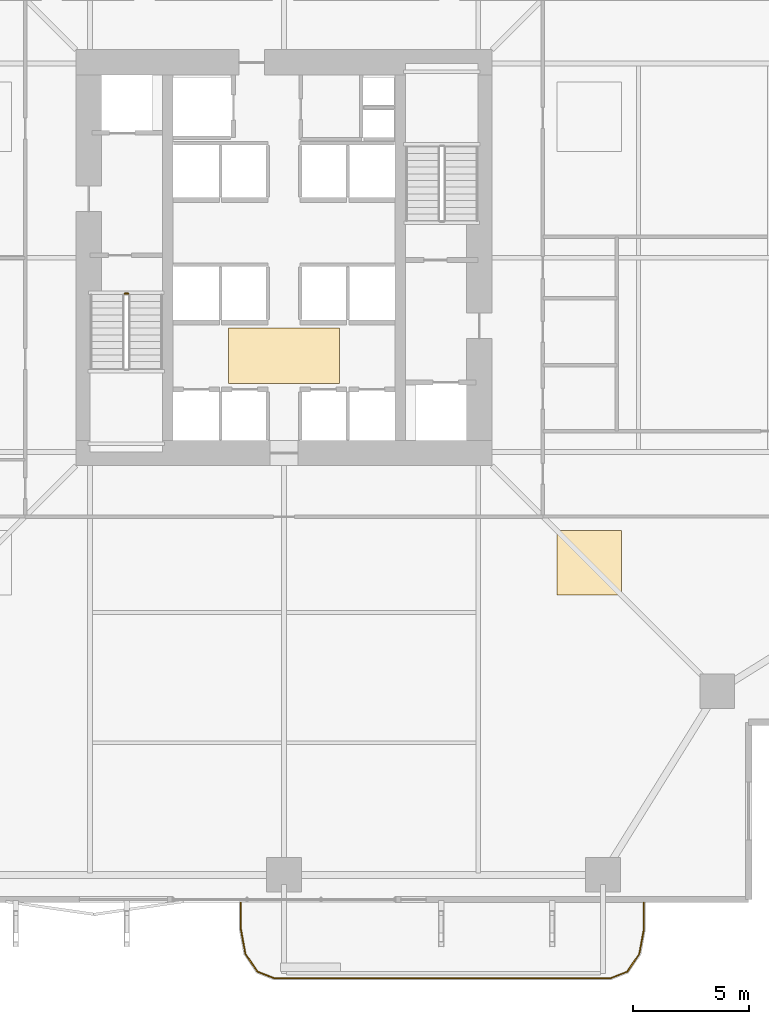
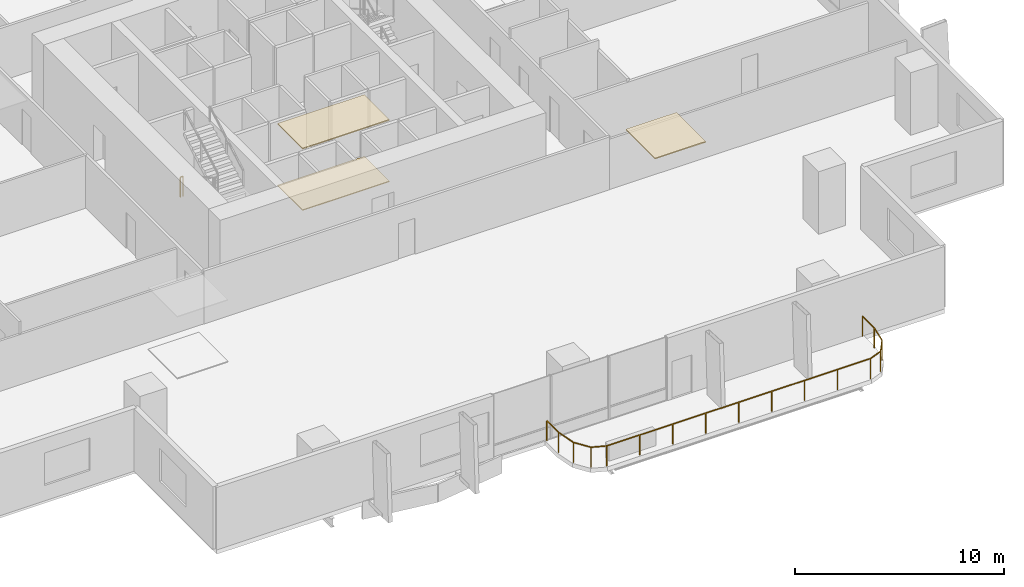
# One storey, part 22 of 24: 3 coverings, 2 railings.
"""IFC4 building model written with IfcOpenShell, lengths in metres."""

from ifc_helpers import new_model, si_unit, direction, frame, origin, origin_2d, place, context, subcontext, project, spatial, polyline, rectangle, outline, extrude, material, layer, layer_set, type_object, element, save


model = new_model("IFC4")

# Units and contexts
model_context = context("Model", 3, precision=1e-05, world=origin(), true_north=direction((0.0, 1.0)))
body_context = subcontext(model_context, "Body", "Model", "MODEL_VIEW")
ifc_project = project(units=[si_unit("LENGTHUNIT", "METRE"), si_unit("AREAUNIT", "SQUARE_METRE"), si_unit("VOLUMEUNIT", "CUBIC_METRE"), si_unit("PLANEANGLEUNIT", "RADIAN"), si_unit("MASSUNIT", "GRAM", prefix="KILO")], contexts=[model_context])

# Site, building, storey
site_placement = place(None, origin())
site = spatial("IfcSite", under=ifc_project, at=site_placement, CompositionType="ELEMENT")
building_placement = place(site_placement, origin())
building = spatial("IfcBuilding", under=site, at=building_placement, Name="Belovzor Exchange Tower", CompositionType="ELEMENT")
storey_placement = place(building_placement, frame((0.0, 0.0, 72.89990234375)))
storey = spatial("IfcBuildingStorey", under=building, at=storey_placement, Name="L17", CompositionType="ELEMENT", Elevation=72.89990234375)

# Railings
ifc_material_1 = material(Name="Stainless Steel and Laminated Safety Glass", Category="steel")
railing_type_1 = type_object("IfcRailingType", Name="Laminated Glass & Stainless Steel Balcony Balustrade 1200", PredefinedType="BALUSTRADE", material=ifc_material_1)
railing_1_placement = place(storey_placement, frame((26.929931640625, 0.889892578125, 0.0)))
element("IfcRailing", 1, at=railing_1_placement, inside=storey, type_object=railing_type_1, Name="GR-1 Balcony Balustrade L17 South", PredefinedType="BALUSTRADE", context=body_context, shape_type="SweptSolid", body=[
    extrude(rectangle(XDim=0.048095703125, YDim=0.048095703125, at=origin_2d()), frame((0.0, 0.0, 1.17578125), z_axis=(0.0, -1.0, 0.0), x_axis=(1.0, 0.0, 0.0)), (0.0, 0.0, 1.0), 1.1328125),
    extrude(rectangle(XDim=0.048095703125, YDim=0.048095703125, at=origin_2d()), frame((0.0, -1.1328125, 1.17578125), z_axis=(0.180083182347, -0.983651385113, 0.0), x_axis=(0.983651385113, 0.180083182347, 0.0)), (0.0, 0.0, 1.0), 1.093994140625),
    extrude(rectangle(XDim=0.048095703125, YDim=0.048095703125, at=origin_2d()), frame((0.197021484375, -2.208984375, 1.17578125), z_axis=(0.56294695933, -0.826493025367, 0.0), x_axis=(0.826493025367, 0.56294695933, 0.0)), (0.0, 0.0, 1.0), 0.932861328125),
    extrude(rectangle(XDim=0.048095703125, YDim=0.048095703125, at=origin_2d()), frame((0.72216796875, -2.97998046875, 1.17578125), z_axis=(0.930766990125, -0.365612923861, 0.0), x_axis=(0.365612923861, 0.930766990125, 0.0)), (0.0, 0.0, 1.0), 0.765869140625),
    extrude(rectangle(XDim=0.048095703125, YDim=0.048095703125, at=origin_2d()), frame((1.43505859375, -3.260009765625, 1.17578125), z_axis=(1.0, 0.0, 0.0), x_axis=(0.0, 1.0, 0.0)), (0.0, 0.0, 1.0), 14.570068359375),
    extrude(rectangle(XDim=0.048095703125, YDim=0.048095703125, at=origin_2d()), frame((16.005126953125, -3.260009765625, 1.17578125), z_axis=(0.930766990125, 0.365612923861, 0.0), x_axis=(-0.365612923861, 0.930766990125, 0.0)), (0.0, 0.0, 1.0), 0.765869140625),
    extrude(rectangle(XDim=0.048095703125, YDim=0.048095703125, at=origin_2d()), frame((16.718017578125, -2.97998046875, 1.17578125), z_axis=(0.56294695933, 0.826493025367, 0.0), x_axis=(-0.826493025367, 0.56294695933, 0.0)), (0.0, 0.0, 1.0), 0.932861328125),
    extrude(rectangle(XDim=0.048095703125, YDim=0.048095703125, at=origin_2d()), frame((17.2431640625, -2.208984375, 1.17578125), z_axis=(0.180083182347, 0.983651385113, 0.0), x_axis=(-0.983651385113, 0.180083182347, 0.0)), (0.0, 0.0, 1.0), 1.093994140625),
    extrude(rectangle(XDim=0.048095703125, YDim=0.048095703125, at=origin_2d()), frame((17.440185546875, -1.1328125, 1.17578125), z_axis=(0.0, 1.0, 0.0), x_axis=(-1.0, 0.0, 0.0)), (0.0, 0.0, 1.0), 1.1328125),
    extrude(rectangle(XDim=0.0419921875, YDim=0.0419921875, at=origin_2d()), origin(), (0.0, 0.0, 1.0), 1.15185546875),
    extrude(rectangle(XDim=0.0419921875, YDim=0.0419921875, at=origin_2d()), frame((0.0, -1.1328125, 0.0)), (0.0, 0.0, 1.0), 1.15185546875),
    extrude(rectangle(XDim=0.0419921875, YDim=0.0419921875, at=origin_2d()), frame((0.197021484375, -2.208984375, 0.0)), (0.0, 0.0, 1.0), 1.15185546875),
    extrude(rectangle(XDim=0.0419921875, YDim=0.0419921875, at=origin_2d()), frame((0.72216796875, -2.97998046875, 0.0)), (0.0, 0.0, 1.0), 1.15185546875),
    extrude(rectangle(XDim=0.0419921875, YDim=0.0419921875, at=origin_2d()), frame((1.43505859375, -3.260009765625, 0.0)), (0.0, 0.0, 1.0), 1.15185546875),
    extrude(rectangle(XDim=0.0419921875, YDim=0.0419921875, at=origin_2d()), frame((3.25634765625, -3.260009765625, 0.0)), (0.0, 0.0, 1.0), 1.15185546875),
    extrude(rectangle(XDim=0.0419921875, YDim=0.0419921875, at=origin_2d()), frame((5.07763671875, -3.260009765625, 0.0)), (0.0, 0.0, 1.0), 1.15185546875),
    extrude(rectangle(XDim=0.0419921875, YDim=0.0419921875, at=origin_2d()), frame((6.89892578125, -3.260009765625, 0.0)), (0.0, 0.0, 1.0), 1.15185546875),
    extrude(rectangle(XDim=0.0419921875, YDim=0.0419921875, at=origin_2d()), frame((8.72021484375, -3.260009765625, 0.0)), (0.0, 0.0, 1.0), 1.15185546875),
    extrude(rectangle(XDim=0.0419921875, YDim=0.0419921875, at=origin_2d()), frame((10.541259765625, -3.260009765625, 0.0)), (0.0, 0.0, 1.0), 1.15185546875),
    extrude(rectangle(XDim=0.0419921875, YDim=0.0419921875, at=origin_2d()), frame((12.362548828125, -3.260009765625, 0.0)), (0.0, 0.0, 1.0), 1.15185546875),
    extrude(rectangle(XDim=0.0419921875, YDim=0.0419921875, at=origin_2d()), frame((14.183837890625, -3.260009765625, 0.0)), (0.0, 0.0, 1.0), 1.15185546875),
    extrude(rectangle(XDim=0.0419921875, YDim=0.0419921875, at=origin_2d()), frame((16.005126953125, -3.260009765625, 0.0)), (0.0, 0.0, 1.0), 1.15185546875),
    extrude(rectangle(XDim=0.0419921875, YDim=0.0419921875, at=origin_2d()), frame((16.718017578125, -2.97998046875, 0.0)), (0.0, 0.0, 1.0), 1.15185546875),
    extrude(rectangle(XDim=0.0419921875, YDim=0.0419921875, at=origin_2d()), frame((17.2431640625, -2.208984375, 0.0)), (0.0, 0.0, 1.0), 1.15185546875),
    extrude(rectangle(XDim=0.0419921875, YDim=0.0419921875, at=origin_2d()), frame((17.440185546875, -1.1328125, 0.0)), (0.0, 0.0, 1.0), 1.15185546875),
    extrude(rectangle(XDim=0.0419921875, YDim=0.0419921875, at=origin_2d()), frame((17.440185546875, 0.0, 0.0)), (0.0, 0.0, 1.0), 1.15185546875),
])
ifc_material_2 = material(Name="Steel S355", Category="steel")
railing_type_2 = type_object("IfcRailingType", Name="Painted Steel Stairwell Guardrail 1200", PredefinedType="GUARDRAIL", material=ifc_material_2)
railing_2_placement = place(storey_placement, frame((21.89990234375, 27.25, 0.0)))
element("IfcRailing", 2, at=railing_2_placement, inside=storey, type_object=railing_type_2, Name="L17 ST-1 stair guard 4", PredefinedType="GUARDRAIL", context=body_context, shape_type="SweptSolid", body=[
    extrude(rectangle(XDim=0.048095703125, YDim=0.048095703125, at=origin_2d()), frame((0.0, 0.0, 1.17578125), z_axis=(1.0, 0.0, 0.0), x_axis=(0.0, 1.0, 0.0)), (0.0, 0.0, 1.0), 0.150146484375),
    extrude(rectangle(XDim=0.0419921875, YDim=0.0419921875, at=origin_2d()), origin(), (0.0, 0.0, 1.0), 1.15185546875),
    extrude(rectangle(XDim=0.0419921875, YDim=0.0419921875, at=origin_2d()), frame((0.150146484375, 0.0, 0.0)), (0.0, 0.0, 1.0), 1.15185546875),
])

# Coverings
ifc_material_3 = material(Name="Perforated Powder-Coated Aluminium", Category="aluminium")
ifc_layer_1 = layer(ifc_material_3, 0.06005859375)
ifc_layer_set_1 = layer_set([ifc_layer_1], Name="Perforated Powder-Coated Aluminium")
covering_type_1 = type_object("IfcCoveringType", Name="Perforated Acoustic Metal Tile Suspended Ceiling 60", PredefinedType="CEILING", material=ifc_layer_set_1)
covering_1_placement = place(storey_placement, frame((0.0, 0.0, 3.590087890625)))
element("IfcCovering", 3, at=covering_1_placement, inside=storey, type_object=covering_type_1, Name="CLG-AC60 Suspended Ceiling CLG-L17-LOB", PredefinedType="CEILING", context=body_context, shape_type="SweptSolid", body=[
    extrude(outline(polyline([(26.39990234375, 23.35009765625), (31.199951171875, 23.35009765625), (31.199951171875, 25.75), (26.39990234375, 25.75), (26.39990234375, 23.35009765625)])), origin(), (0.0, 0.0, 1.0), 0.06005859375),
])
covering_2_placement = place(storey_placement, frame((0.0, 0.0, 3.590087890625)))
element("IfcCovering", 4, at=covering_2_placement, inside=storey, type_object=covering_type_1, Name="CLG-AC60 Suspended Ceiling CLG-L17-Z1", PredefinedType="CEILING", context=body_context, shape_type="SweptSolid", body=[
    extrude(outline(polyline([(40.60009765625, 14.199951171875), (43.39990234375, 14.199951171875), (43.39990234375, 17.0), (40.60009765625, 17.0), (40.60009765625, 14.199951171875)])), origin(), (0.0, 0.0, 1.0), 0.06005859375),
])
ifc_material_4 = material(Name="Polished Natural Granite Tile", Category="masonry")
ifc_layer_2 = layer(ifc_material_4, 0.050048828125)
ifc_layer_set_2 = layer_set([ifc_layer_2], Name="Polished Natural Granite Tile")
covering_type_2 = type_object("IfcCoveringType", Name="Polished Karelian Granite & Raised Access Floor Finish 50", PredefinedType="FLOORING", material=ifc_layer_set_2)
covering_3_placement = place(storey_placement, origin())
element("IfcCovering", 5, at=covering_3_placement, inside=storey, type_object=covering_type_2, Name="FLR-GR50 Floor Finish FLR-L17-LOB", PredefinedType="FLOORING", context=body_context, shape_type="SweptSolid", body=[
    extrude(outline(polyline([(26.39990234375, 23.35009765625), (31.199951171875, 23.35009765625), (31.199951171875, 25.75), (26.39990234375, 25.75), (26.39990234375, 23.35009765625)])), origin(), (0.0, 0.0, 1.0), 0.050048828125),
])

save(model, "model.ifc")
